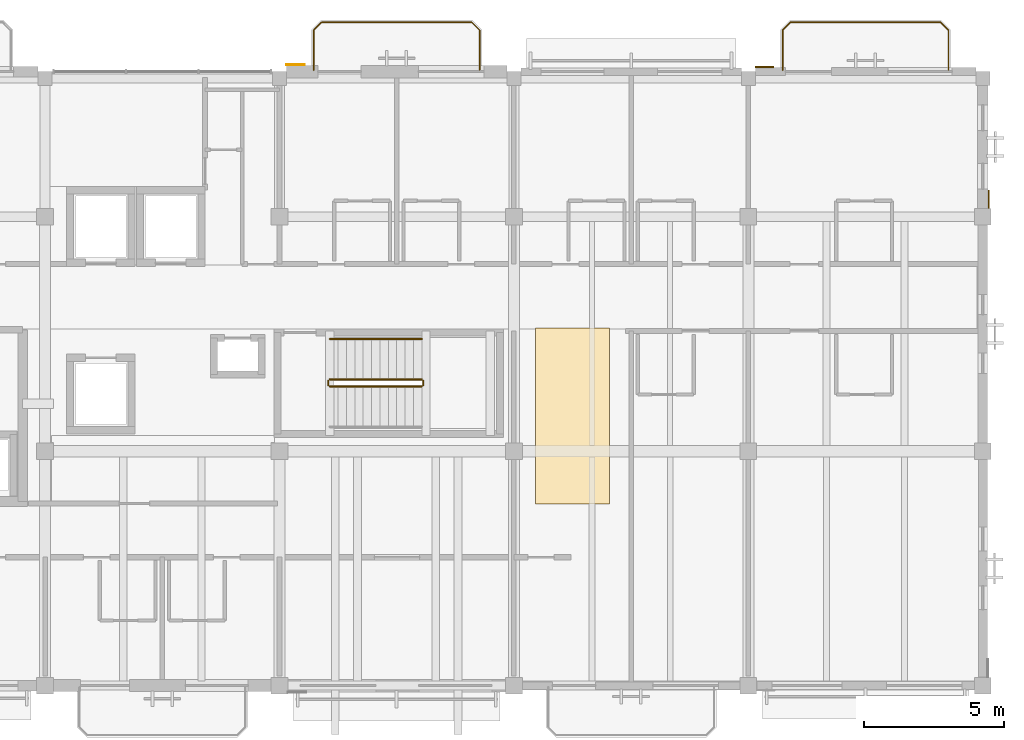
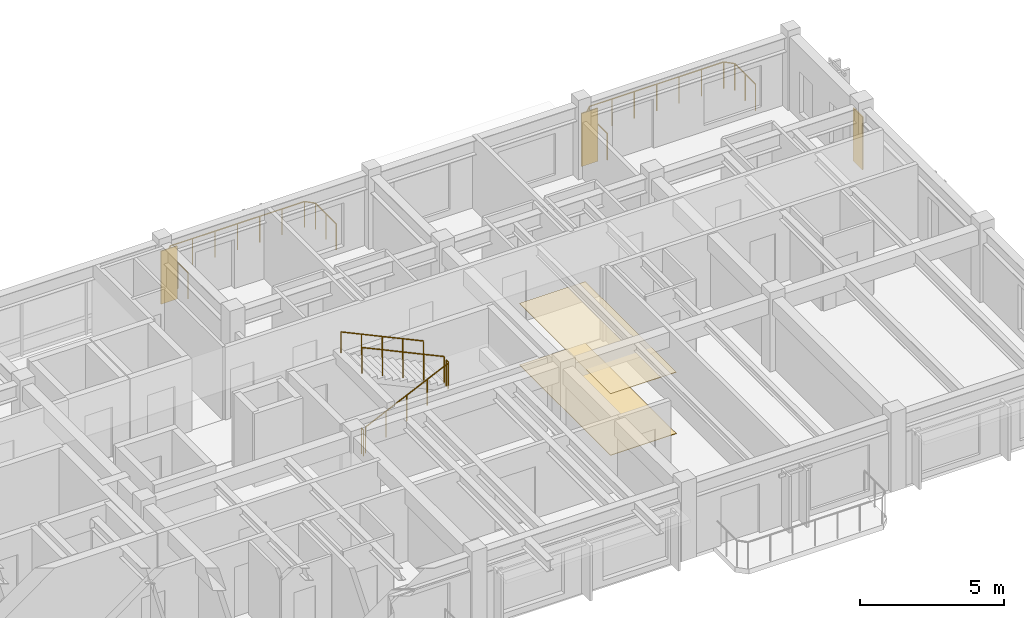
# One storey, part 31 of 31: 7 railings, 5 coverings.
"""IFC4 building model written with IfcOpenShell, lengths in metres."""

import ifcopenshell
import ifcopenshell.guid

model = None  # the IFC model being written
_history = None  # IfcOwnerHistory: only IFC2X3 demands one
_inside = {}  # id of a spatial element -> (the spatial element, [elements in it])
_under = {}  # id of a project, library or spatial element -> (it, [spatial elements below it])
_declared = {}  # id of a project -> (the project, [libraries it declares])
_typed = {}  # id of a type object -> (the type object, [elements of that type])
_made_of = {}  # id of a material, layer set ... -> (it, [elements and type objects made of it])


def new_model(schema):
    """Start an empty IFC model of exactly this schema.

    Asked for "IFC4X3", IfcOpenShell would pick the latest addendum, in which some entities
    have other attributes; the version numbers below select the first issue.
    IFC2X3 requires an IfcOwnerHistory on every rooted entity: one is made here for all.
    """
    global model, _history
    if schema == "IFC4X3":
        model = ifcopenshell.file(schema_version=(4, 3, 0, 0))
    else:
        model = ifcopenshell.file(schema=schema)
    _inside.clear()
    _under.clear()
    _declared.clear()
    _typed.clear()
    _made_of.clear()
    _history = None
    if model.schema == "IFC2X3":
        org = make("IfcOrganization", Name="unknown")
        user = make(
            "IfcPersonAndOrganization",
            ThePerson=make("IfcPerson", FamilyName="unknown"),
            TheOrganization=org,
        )
        app = make(
            "IfcApplication",
            ApplicationDeveloper=org,
            Version="unknown",
            ApplicationFullName="unknown",
            ApplicationIdentifier="unknown",
        )
        _history = make(
            "IfcOwnerHistory",
            OwningUser=user,
            OwningApplication=app,
            ChangeAction="ADDED",
            CreationDate=0,
        )
    return model


def make(cls, **values):
    """One entity of the class cls with the attributes given. An attribute that is None is left unset."""
    return model.create_entity(
        cls, **{name: value for name, value in values.items() if value is not None}
    )


def rooted(cls, **values):
    """An entity with a GlobalId (a new one), such as an element, a storey or a relation."""
    return make(cls, GlobalId=ifcopenshell.guid.new(), OwnerHistory=_history, **values)


def si_unit(unit_type, name, prefix=None):
    """IfcSIUnit, for example si_unit("LENGTHUNIT", "METRE", prefix="MILLI")."""
    return make("IfcSIUnit", UnitType=unit_type, Prefix=prefix, Name=name)


def assignment(units):
    """IfcUnitAssignment: the units of a project."""
    return None if units is None else make("IfcUnitAssignment", Units=units)


def point(xyz):
    """IfcCartesianPoint."""
    return None if xyz is None else make("IfcCartesianPoint", Coordinates=xyz)


def direction(xyz):
    """IfcDirection."""
    return None if xyz is None else make("IfcDirection", DirectionRatios=xyz)


def frame(location, z_axis=None, x_axis=None):
    """IfcAxis2Placement3D, a coordinate frame: its origin and axes. An axis left out is left unset."""
    return make(
        "IfcAxis2Placement3D",
        Location=point(location),
        Axis=direction(z_axis),
        RefDirection=direction(x_axis),
    )


def frame_2d(location, x_axis=None):
    """IfcAxis2Placement2D, a coordinate frame in the plane: its origin and x axis."""
    return make(
        "IfcAxis2Placement2D", Location=point(location), RefDirection=direction(x_axis)
    )


def origin():
    """The frame at (0, 0, 0) with its axes left unset."""
    return frame((0.0, 0.0, 0.0))


def origin_2d():
    """The frame at (0, 0) in the plane with its x axis left unset."""
    return frame_2d((0.0, 0.0))


def place(relative_to, where):
    """IfcLocalPlacement: puts the frame where relative to a parent placement (None: the world)."""
    return make(
        "IfcLocalPlacement", PlacementRelTo=relative_to, RelativePlacement=where
    )


def context(
    kind, dimensions, precision=None, world=None, true_north=None, identifier=None
):
    """IfcGeometricRepresentationContext, for example the 3D "Model" context."""
    return make(
        "IfcGeometricRepresentationContext",
        ContextIdentifier=identifier,
        ContextType=kind,
        CoordinateSpaceDimension=dimensions,
        Precision=precision,
        WorldCoordinateSystem=world,
        TrueNorth=true_north,
    )


def subcontext(parent, identifier, kind, view, scale=None):
    """IfcGeometricRepresentationSubContext, for example "Body" below "Model"."""
    return make(
        "IfcGeometricRepresentationSubContext",
        ContextIdentifier=identifier,
        ContextType=kind,
        ParentContext=parent,
        TargetScale=scale,
        TargetView=view,
    )


def project(units=None, contexts=None):
    """IfcProject with its units and contexts."""
    return rooted(
        "IfcProject",
        Name="project",
        RepresentationContexts=contexts,
        UnitsInContext=assignment(units),
    )


def spatial(cls, under=None, at=None, **own):
    """A site, building, storey or space (cls), placed at a placement, below another one or the project."""
    s = rooted(cls, ObjectPlacement=at, **own)
    if under is not None:
        _under.setdefault(under.id(), (under, []))[1].append(s)
    return s


def polyline(points):
    """IfcPolyline through the points."""
    return make("IfcPolyline", Points=[point(p) for p in points])


def profile(cls, at=None, kind="AREA", **sizes):
    """A parametric profile (cls). Its sizes go by their IFC names, for example OverallWidth=200.0."""
    return make(cls, ProfileType=kind, Position=at, **sizes)


def circle(**sizes):
    """IfcCircleProfileDef."""
    return profile("IfcCircleProfileDef", **sizes)


def outline(outer, holes=None, kind="AREA"):
    """IfcArbitraryClosedProfileDef: a profile drawn as a closed curve; with holes, ...WithVoids."""
    if holes is None:
        return make("IfcArbitraryClosedProfileDef", ProfileType=kind, OuterCurve=outer)
    return make(
        "IfcArbitraryProfileDefWithVoids",
        ProfileType=kind,
        OuterCurve=outer,
        InnerCurves=holes,
    )


def extrude(swept, where, along, depth):
    """IfcExtrudedAreaSolid: the profile swept, set in the frame where, extruded along a direction by depth."""
    return make(
        "IfcExtrudedAreaSolid",
        SweptArea=swept,
        Position=where,
        ExtrudedDirection=direction(along),
        Depth=depth,
    )


def shape(context_of_items, identifier, shape_type, items):
    """IfcShapeRepresentation: the items that make up one representation, for example the "Body"."""
    return make(
        "IfcShapeRepresentation",
        ContextOfItems=context_of_items,
        RepresentationIdentifier=identifier,
        RepresentationType=shape_type,
        Items=items,
    )


def material(Name=None, Category=None):
    """IfcMaterial."""
    return make("IfcMaterial", Name=Name, Category=Category)


def layer(
    of_material, thickness, ventilated=None, Name=None, Category=None, Priority=None
):
    """IfcMaterialLayer: one layer of a wall or slab, of a material (None: an air gap)."""
    return make(
        "IfcMaterialLayer",
        Material=of_material,
        LayerThickness=thickness,
        IsVentilated=ventilated,
        Name=Name,
        Category=Category,
        Priority=Priority,
    )


def layer_set(layers, Name=None):
    """IfcMaterialLayerSet."""
    return make("IfcMaterialLayerSet", MaterialLayers=layers, LayerSetName=Name)


def made_of(thing, what):
    """Note that an element or type object is made of a material, layer set ...; save() writes the relation."""
    if what is not None:
        _made_of.setdefault(what.id(), (what, []))[1].append(thing)
    return thing


def type_object(cls, material=None, **own):
    """A type object (cls), such as IfcWallType, which elements share."""
    return made_of(rooted(cls, **own), material)


def element(
    cls,
    number,
    at=None,
    inside=None,
    cuts=None,
    type_object=None,
    material=None,
    context=None,
    identifier="Body",
    shape_type=None,
    held_by="IfcProductDefinitionShape",
    body=None,
    shapes=None,
    **own,
):
    """One element of the class cls, such as IfcWall. Its Tag is "e" and its number.

    at: its placement. inside: the storey or other place that contains it. cuts: it is an
    opening in that element (IfcRelVoidsElement). A single representation is given by context,
    identifier, shape_type and body (its items); several are given by shapes. held_by: the class
    of the entity that holds the representations. save() writes the other relations.
    """
    e = rooted(cls, Tag="e%d" % number, ObjectPlacement=at, **own)
    if body is not None:
        shapes = [shape(context, identifier, shape_type, body)]
    if shapes is not None:
        e.Representation = make(held_by, Representations=shapes)
    if inside is not None:
        _inside.setdefault(inside.id(), (inside, []))[1].append(e)
    if cuts is not None:
        rooted(
            "IfcRelVoidsElement", RelatingBuildingElement=cuts, RelatedOpeningElement=e
        )
    if type_object is not None:
        _typed.setdefault(type_object.id(), (type_object, []))[1].append(e)
    return made_of(e, material)


def aggregate(whole, parts):
    """IfcRelAggregates: a whole, such as a stair, and the parts it consists of."""
    return rooted("IfcRelAggregates", RelatingObject=whole, RelatedObjects=parts)


def save(model, path):
    """Write the relations noted so far, then the file.

    IfcRelAggregates (storeys below a building ...), IfcRelContainedInSpatialStructure (elements
    in a storey), IfcRelDefinesByType, IfcRelAssociatesMaterial and IfcRelDeclares: one each for
    every whole, place, type object, material and project.
    """
    for whole, parts in _under.values():
        aggregate(whole, parts)
    for where, things in _inside.values():
        rooted(
            "IfcRelContainedInSpatialStructure",
            RelatedElements=things,
            RelatingStructure=where,
        )
    for kind, things in _typed.values():
        rooted("IfcRelDefinesByType", RelatedObjects=things, RelatingType=kind)
    for what, things in _made_of.values():
        rooted("IfcRelAssociatesMaterial", RelatedObjects=things, RelatingMaterial=what)
    for by, libraries in _declared.values():
        rooted("IfcRelDeclares", RelatingContext=by, RelatedDefinitions=libraries)
    model.write(path)


model = new_model("IFC4")

# Units and contexts
model_context = context("Model", 3, precision=1e-05, world=origin(), true_north=direction((0.0, 1.0)))
body_context = subcontext(model_context, "Body", "Model", "MODEL_VIEW")
ifc_project = project(units=[si_unit("LENGTHUNIT", "METRE"), si_unit("AREAUNIT", "SQUARE_METRE"), si_unit("VOLUMEUNIT", "CUBIC_METRE"), si_unit("PLANEANGLEUNIT", "RADIAN"), si_unit("MASSUNIT", "GRAM", prefix="KILO")], contexts=[model_context])

# Site, building, storey
site_placement = place(None, origin())
site = spatial("IfcSite", under=ifc_project, at=site_placement, CompositionType="ELEMENT")
building_placement = place(site_placement, origin())
building = spatial("IfcBuilding", under=site, at=building_placement, Name="Cumbredor Promenade Congress Hotel", CompositionType="ELEMENT")
storey_placement = place(building_placement, frame((0.0, 0.0, 31.919921875)))
storey = spatial("IfcBuildingStorey", under=building, at=storey_placement, Name="L09", CompositionType="ELEMENT", Elevation=31.919921875)

# Coverings
ifc_material_1 = material(Name="Acoustic mineral-fiber and gypsum ceiling")
ifc_layer_1 = layer(ifc_material_1, 0.02197265625, Name="Acoustic mineral-fiber and gypsum ceiling")
ifc_layer_set_1 = layer_set([ifc_layer_1], Name="Acoustic mineral-fiber and gypsum ceiling")
covering_type_1 = type_object("IfcCoveringType", Name="Acoustic Perforated Gypsum Ceiling CLG-02 22mm", PredefinedType="CEILING", material=ifc_layer_set_1)
covering_1_placement = place(storey_placement, frame((0.0, 0.0, 2.60205078125)))
element("IfcCovering", 1, at=covering_1_placement, inside=storey, type_object=covering_type_1, Name="L09 East Corridor Connector Acoustic Ceiling", PredefinedType="CEILING", context=body_context, shape_type="SweptSolid", body=[
    extrude(outline(polyline([(53.820068359375, 98.89990234375), (53.820068359375, 105.219970703125), (51.179931640625, 105.219970703125), (51.179931640625, 98.89990234375), (53.820068359375, 98.89990234375)])), origin(), (0.0, 0.0, 1.0), 0.02197265625),
])
ifc_material_2 = material(Name="Precast concrete C40/50", Category="concrete")
ifc_layer_2 = layer(ifc_material_2, 0.044921875, Name="Precast concrete C40/50", Category="concrete")
ifc_layer_set_2 = layer_set([ifc_layer_2], Name="Precast concrete C40/50")
covering_type_2 = type_object("IfcCoveringType", Name="Board-Formed Architectural Cladding Panel 45mm", PredefinedType="CLADDING", material=ifc_layer_set_2)
covering_2_placement = place(storey_placement, origin())
element("IfcCovering", 2, at=covering_2_placement, inside=storey, type_object=covering_type_2, Name="L09 Facade Stone Cladding Pier 250", PredefinedType="CLADDING", context=body_context, shape_type="SweptSolid", body=[
    extrude(outline(polyline([(59.051025390625, 114.5400390625), (59.700927734375, 114.5400390625), (59.700927734375, 114.5849609375), (59.051025390625, 114.5849609375), (59.051025390625, 114.5400390625)])), origin(), (0.0, 0.0, 1.0), 2.25),
])
covering_3_placement = place(storey_placement, origin())
element("IfcCovering", 3, at=covering_3_placement, inside=storey, type_object=covering_type_2, Name="L09 Facade Stone Cladding Pier 254", PredefinedType="CLADDING", context=body_context, shape_type="SweptSolid", body=[
    extrude(outline(polyline([(67.389892578125, 109.5009765625), (67.389892578125, 110.15087890625), (67.43505859375, 110.15087890625), (67.43505859375, 109.5009765625), (67.389892578125, 109.5009765625)])), origin(), (0.0, 0.0, 1.0), 2.25),
])

# Railings
ifc_material_3 = material(Name="Brushed stainless steel", Category="steel")
railing_type_1 = type_object("IfcRailingType", Name="Interior Void & Stair Guardrail GR-1100", PredefinedType="GUARDRAIL", material=ifc_material_3)
railing_1_placement = place(storey_placement, frame((43.800048828125, 103.1201171875, 0.14013671875)))
element("IfcRailing", 4, at=railing_1_placement, inside=storey, type_object=railing_type_1, Name="L09 ST-03 stair guard 1", PredefinedType="GUARDRAIL", context=body_context, shape_type="SweptSolid", body=[
    extrude(circle(Radius=0.02392578125, at=origin_2d()), frame((0.0, 0.0, 1.09619140625), z_axis=(0.906181427284, 0.0, 0.422889135408), x_axis=(0.0, 1.0, 0.0)), (0.0, 0.0, 1.0), 3.6416015625),
    extrude(circle(Radius=0.02099609375, at=origin_2d()), origin(), (0.0, 0.0, 1.0), 1.072021484375),
    extrude(circle(Radius=0.02099609375, at=origin_2d()), frame((0.824951171875, 0.0, 0.385009765625)), (0.0, 0.0, 1.0), 1.072021484375),
    extrude(circle(Radius=0.02099609375, at=origin_2d()), frame((1.64990234375, 0.0, 0.77001953125)), (0.0, 0.0, 1.0), 1.072021484375),
    extrude(circle(Radius=0.02099609375, at=origin_2d()), frame((2.47509765625, 0.0, 1.155029296875)), (0.0, 0.0, 1.0), 1.072021484375),
    extrude(circle(Radius=0.02099609375, at=origin_2d()), frame((3.300048828125, 0.0, 1.5400390625)), (0.0, 0.0, 1.0), 1.072021484375),
])
railing_2_placement = place(storey_placement, frame((47.14990234375, 103.169921875, 1.68017578125)))
element("IfcRailing", 5, at=railing_2_placement, inside=storey, type_object=railing_type_1, Name="L09 ST-03 stair guard 2", PredefinedType="GUARDRAIL", context=body_context, shape_type="SweptSolid", body=[
    extrude(circle(Radius=0.02392578125, at=origin_2d()), frame((0.0, 0.0, 1.09619140625), z_axis=(0.0, 1.0, 0.0), x_axis=(-1.0, 0.0, 0.0)), (0.0, 0.0, 1.0), 0.150146484375),
    extrude(circle(Radius=0.02099609375, at=origin_2d()), origin(), (0.0, 0.0, 1.0), 1.072021484375),
    extrude(circle(Radius=0.02099609375, at=origin_2d()), frame((0.0, 0.150146484375, 0.0)), (0.0, 0.0, 1.0), 1.072021484375),
])
railing_3_placement = place(storey_placement, frame((47.10009765625, 103.3701171875, 1.820068359375)))
element("IfcRailing", 6, at=railing_3_placement, inside=storey, type_object=railing_type_1, Name="L09 ST-03 stair guard 3", PredefinedType="GUARDRAIL", context=body_context, shape_type="SweptSolid", body=[
    extrude(circle(Radius=0.02392578125, at=origin_2d()), frame((0.0, 0.0, 1.09619140625), z_axis=(-0.906181427284, 0.0, 0.422889135408), x_axis=(0.0, -1.0, 0.0)), (0.0, 0.0, 1.0), 3.6416015625),
    extrude(circle(Radius=0.02099609375, at=origin_2d()), origin(), (0.0, 0.0, 1.0), 1.072021484375),
    extrude(circle(Radius=0.02099609375, at=origin_2d()), frame((-0.824951171875, 0.0, 0.385009765625)), (0.0, 0.0, 1.0), 1.072021484375),
    extrude(circle(Radius=0.02099609375, at=origin_2d()), frame((-1.64990234375, 0.0, 0.77001953125)), (0.0, 0.0, 1.0), 1.072021484375),
    extrude(circle(Radius=0.02099609375, at=origin_2d()), frame((-2.47509765625, 0.0, 1.155029296875)), (0.0, 0.0, 1.0), 1.072021484375),
    extrude(circle(Radius=0.02099609375, at=origin_2d()), frame((-3.300048828125, 0.0, 1.5400390625)), (0.0, 0.0, 1.0), 1.072021484375),
])
railing_4_placement = place(storey_placement, frame((43.75, 103.169921875, 0.0)))
element("IfcRailing", 7, at=railing_4_placement, inside=storey, type_object=railing_type_1, Name="L09 ST-03 stair guard 4", PredefinedType="GUARDRAIL", context=body_context, shape_type="SweptSolid", body=[
    extrude(circle(Radius=0.02392578125, at=origin_2d()), frame((0.0, 0.0, 1.09619140625), z_axis=(0.0, 1.0, 0.0), x_axis=(-1.0, 0.0, 0.0)), (0.0, 0.0, 1.0), 0.150146484375),
    extrude(circle(Radius=0.02099609375, at=origin_2d()), origin(), (0.0, 0.0, 1.0), 1.072021484375),
    extrude(circle(Radius=0.02099609375, at=origin_2d()), frame((0.0, 0.150146484375, 0.0)), (0.0, 0.0, 1.0), 1.072021484375),
])

# Covering
ifc_material_4 = material(Name="Porcelain stoneware tile", Category="masonry")
ifc_layer_3 = layer(ifc_material_4, 0.02001953125, Name="Porcelain stoneware tile", Category="masonry")
ifc_layer_set_3 = layer_set([ifc_layer_3], Name="Porcelain stoneware tile")
covering_type_3 = type_object("IfcCoveringType", Name="Porcelain Stoneware Flooring FLR-01 20mm", PredefinedType="FLOORING", material=ifc_layer_set_3)
covering_4_placement = place(storey_placement, origin())
element("IfcCovering", 8, at=covering_4_placement, inside=storey, type_object=covering_type_3, Name="L09 East Corridor Connector Porcelain Flooring", PredefinedType="FLOORING", context=body_context, shape_type="SweptSolid", body=[
    extrude(outline(polyline([(53.820068359375, 98.89990234375), (53.820068359375, 105.219970703125), (51.179931640625, 105.219970703125), (51.179931640625, 98.89990234375), (53.820068359375, 98.89990234375)])), origin(), (0.0, 0.0, 1.0), 0.02001953125),
])

# Railings
railing_type_2 = type_object("IfcRailingType", Name="Sky Garden Glass-and-Steel Balustrade BAL-1150", PredefinedType="BALUSTRADE", material=ifc_material_3)
railing_5_placement = place(storey_placement, frame((60.030029296875, 114.449951171875, 0.0)))
element("IfcRailing", 9, at=railing_5_placement, inside=storey, type_object=railing_type_2, Name="L09 Veranda Balcony Balustrade 056", PredefinedType="BALUSTRADE", context=body_context, shape_type="SweptSolid", body=[
    extrude(circle(Radius=0.02392578125, at=origin_2d()), frame((0.0, 0.0, 1.1259765625), z_axis=(0.0, 1.0, 0.0), x_axis=(-1.0, 0.0, 0.0)), (0.0, 0.0, 1.0), 1.43994140625),
    extrude(circle(Radius=0.02392578125, at=origin_2d()), frame((0.0, 1.43994140625, 1.1259765625), z_axis=(0.707106781187, 0.707106781187, 0.0), x_axis=(-0.707106781187, 0.707106781187, 0.0)), (0.0, 0.0, 1.0), 0.39599609375),
    extrude(circle(Radius=0.02392578125, at=origin_2d()), frame((0.280029296875, 1.719970703125, 1.1259765625), z_axis=(1.0, 0.0, 0.0), x_axis=(0.0, 1.0, 0.0)), (0.0, 0.0, 1.0), 5.3798828125),
    extrude(circle(Radius=0.02392578125, at=origin_2d()), frame((5.659912109375, 1.719970703125, 1.1259765625), z_axis=(0.707106781187, -0.707106781187, 0.0), x_axis=(0.707106781187, 0.707106781187, 0.0)), (0.0, 0.0, 1.0), 0.39599609375),
    extrude(circle(Radius=0.02392578125, at=origin_2d()), frame((5.93994140625, 1.43994140625, 1.1259765625), z_axis=(0.0, -1.0, 0.0), x_axis=(1.0, 0.0, 0.0)), (0.0, 0.0, 1.0), 1.43994140625),
    extrude(circle(Radius=0.02099609375, at=origin_2d()), origin(), (0.0, 0.0, 1.0), 1.101806640625),
    extrude(circle(Radius=0.02099609375, at=origin_2d()), frame((0.0, 0.719970703125, 0.0)), (0.0, 0.0, 1.0), 1.101806640625),
    extrude(circle(Radius=0.02099609375, at=origin_2d()), frame((0.0, 1.43994140625, 0.0)), (0.0, 0.0, 1.0), 1.101806640625),
    extrude(circle(Radius=0.02099609375, at=origin_2d()), frame((0.280029296875, 1.719970703125, 0.0)), (0.0, 0.0, 1.0), 1.101806640625),
    extrude(circle(Radius=0.02099609375, at=origin_2d()), frame((1.1767578125, 1.719970703125, 0.0)), (0.0, 0.0, 1.0), 1.101806640625),
    extrude(circle(Radius=0.02099609375, at=origin_2d()), frame((2.0732421875, 1.719970703125, 0.0)), (0.0, 0.0, 1.0), 1.101806640625),
    extrude(circle(Radius=0.02099609375, at=origin_2d()), frame((2.969970703125, 1.719970703125, 0.0)), (0.0, 0.0, 1.0), 1.101806640625),
    extrude(circle(Radius=0.02099609375, at=origin_2d()), frame((3.86669921875, 1.719970703125, 0.0)), (0.0, 0.0, 1.0), 1.101806640625),
    extrude(circle(Radius=0.02099609375, at=origin_2d()), frame((4.76318359375, 1.719970703125, 0.0)), (0.0, 0.0, 1.0), 1.101806640625),
    extrude(circle(Radius=0.02099609375, at=origin_2d()), frame((5.659912109375, 1.719970703125, 0.0)), (0.0, 0.0, 1.0), 1.101806640625),
    extrude(circle(Radius=0.02099609375, at=origin_2d()), frame((5.93994140625, 1.43994140625, 0.0)), (0.0, 0.0, 1.0), 1.101806640625),
    extrude(circle(Radius=0.02099609375, at=origin_2d()), frame((5.93994140625, 0.719970703125, 0.0)), (0.0, 0.0, 1.0), 1.101806640625),
    extrude(circle(Radius=0.02099609375, at=origin_2d()), frame((5.93994140625, 0.0, 0.0)), (0.0, 0.0, 1.0), 1.101806640625),
])
railing_type_3 = type_object("IfcRailingType", Name="Stair Pitch Handrail HR-900", PredefinedType="HANDRAIL", material=ifc_material_3)
railing_6_placement = place(storey_placement, frame((47.10009765625, 104.820068359375, 1.820068359375)))
element("IfcRailing", 10, at=railing_6_placement, inside=storey, type_object=railing_type_3, Name="L09 ST-03 stair handrail 2", PredefinedType="HANDRAIL", context=body_context, shape_type="SweptSolid", body=[
    extrude(circle(Radius=0.02392578125, at=origin_2d()), frame((0.0, 0.0, 0.8759765625), z_axis=(-0.906181427284, 0.0, 0.422889135408), x_axis=(0.0, -1.0, 0.0)), (0.0, 0.0, 1.0), 3.6416015625),
    extrude(circle(Radius=0.02099609375, at=origin_2d()), origin(), (0.0, 0.0, 1.0), 0.851806640625),
    extrude(circle(Radius=0.02099609375, at=origin_2d()), frame((-0.824951171875, 0.0, 0.385009765625)), (0.0, 0.0, 1.0), 0.851806640625),
    extrude(circle(Radius=0.02099609375, at=origin_2d()), frame((-1.64990234375, 0.0, 0.77001953125)), (0.0, 0.0, 1.0), 0.851806640625),
    extrude(circle(Radius=0.02099609375, at=origin_2d()), frame((-2.47509765625, 0.0, 1.155029296875)), (0.0, 0.0, 1.0), 0.851806640625),
    extrude(circle(Radius=0.02099609375, at=origin_2d()), frame((-3.300048828125, 0.0, 1.5400390625)), (0.0, 0.0, 1.0), 0.851806640625),
])
railing_type_4 = type_object("IfcRailingType", Name="Terrace Perimeter Balustrade BAL-1120", PredefinedType="BALUSTRADE", material=ifc_material_3)
railing_7_placement = place(storey_placement, frame((43.22998046875, 114.449951171875, 0.0)))
element("IfcRailing", 11, at=railing_7_placement, inside=storey, type_object=railing_type_4, Name="L09 Veranda Balcony Balustrade 055", PredefinedType="BALUSTRADE", context=body_context, shape_type="SweptSolid", body=[
    extrude(circle(Radius=0.02392578125, at=origin_2d()), frame((0.0, 0.0, 1.09619140625), z_axis=(0.0, 1.0, 0.0), x_axis=(-1.0, 0.0, 0.0)), (0.0, 0.0, 1.0), 1.43994140625),
    extrude(circle(Radius=0.02392578125, at=origin_2d()), frame((0.0, 1.43994140625, 1.09619140625), z_axis=(0.707106781187, 0.707106781187, 0.0), x_axis=(-0.707106781187, 0.707106781187, 0.0)), (0.0, 0.0, 1.0), 0.39599609375),
    extrude(circle(Radius=0.02392578125, at=origin_2d()), frame((0.280029296875, 1.719970703125, 1.09619140625), z_axis=(1.0, 0.0, 0.0), x_axis=(0.0, 1.0, 0.0)), (0.0, 0.0, 1.0), 5.3798828125),
    extrude(circle(Radius=0.02392578125, at=origin_2d()), frame((5.659912109375, 1.719970703125, 1.09619140625), z_axis=(0.707106781187, -0.707106781187, 0.0), x_axis=(0.707106781187, 0.707106781187, 0.0)), (0.0, 0.0, 1.0), 0.39599609375),
    extrude(circle(Radius=0.02392578125, at=origin_2d()), frame((5.93994140625, 1.43994140625, 1.09619140625), z_axis=(0.0, -1.0, 0.0), x_axis=(1.0, 0.0, 0.0)), (0.0, 0.0, 1.0), 1.43994140625),
    extrude(circle(Radius=0.02099609375, at=origin_2d()), origin(), (0.0, 0.0, 1.0), 1.072021484375),
    extrude(circle(Radius=0.02099609375, at=origin_2d()), frame((0.0, 0.719970703125, 0.0)), (0.0, 0.0, 1.0), 1.072021484375),
    extrude(circle(Radius=0.02099609375, at=origin_2d()), frame((0.0, 1.43994140625, 0.0)), (0.0, 0.0, 1.0), 1.072021484375),
    extrude(circle(Radius=0.02099609375, at=origin_2d()), frame((0.280029296875, 1.719970703125, 0.0)), (0.0, 0.0, 1.0), 1.072021484375),
    extrude(circle(Radius=0.02099609375, at=origin_2d()), frame((1.1767578125, 1.719970703125, 0.0)), (0.0, 0.0, 1.0), 1.072021484375),
    extrude(circle(Radius=0.02099609375, at=origin_2d()), frame((2.0732421875, 1.719970703125, 0.0)), (0.0, 0.0, 1.0), 1.072021484375),
    extrude(circle(Radius=0.02099609375, at=origin_2d()), frame((2.969970703125, 1.719970703125, 0.0)), (0.0, 0.0, 1.0), 1.072021484375),
    extrude(circle(Radius=0.02099609375, at=origin_2d()), frame((3.86669921875, 1.719970703125, 0.0)), (0.0, 0.0, 1.0), 1.072021484375),
    extrude(circle(Radius=0.02099609375, at=origin_2d()), frame((4.76318359375, 1.719970703125, 0.0)), (0.0, 0.0, 1.0), 1.072021484375),
    extrude(circle(Radius=0.02099609375, at=origin_2d()), frame((5.659912109375, 1.719970703125, 0.0)), (0.0, 0.0, 1.0), 1.072021484375),
    extrude(circle(Radius=0.02099609375, at=origin_2d()), frame((5.93994140625, 1.43994140625, 0.0)), (0.0, 0.0, 1.0), 1.072021484375),
    extrude(circle(Radius=0.02099609375, at=origin_2d()), frame((5.93994140625, 0.719970703125, 0.0)), (0.0, 0.0, 1.0), 1.072021484375),
    extrude(circle(Radius=0.02099609375, at=origin_2d()), frame((5.93994140625, 0.0, 0.0)), (0.0, 0.0, 1.0), 1.072021484375),
])

# Covering
ifc_material_5 = material(Name="Volcanic andesite ashlar cladding", Category="masonry")
ifc_layer_4 = layer(ifc_material_5, 0.034912109375, Name="Volcanic andesite ashlar cladding", Category="masonry")
ifc_layer_set_4 = layer_set([ifc_layer_4], Name="Volcanic andesite ashlar cladding")
covering_type_4 = type_object("IfcCoveringType", Name="Volcanic Andesite Ashlar Rainscreen Cladding 35mm", PredefinedType="CLADDING", material=ifc_layer_set_4)
covering_5_placement = place(storey_placement, origin())
element("IfcCovering", 12, at=covering_5_placement, inside=storey, type_object=covering_type_4, Name="L09 Facade Stone Cladding Pier 249", PredefinedType="CLADDING", context=body_context, shape_type="SweptSolid", body=[
    extrude(outline(polyline([(42.2509765625, 114.625), (42.90087890625, 114.625), (42.90087890625, 114.659912109375), (42.2509765625, 114.659912109375), (42.2509765625, 114.625)])), origin(), (0.0, 0.0, 1.0), 2.25),
])

save(model, "model.ifc")
